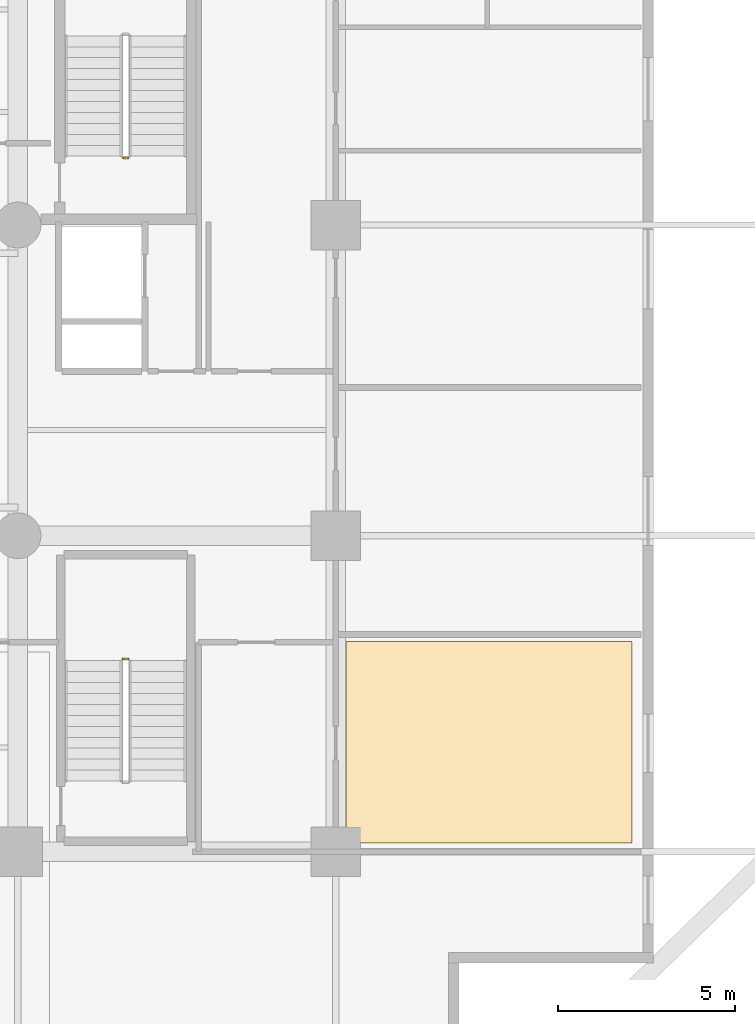
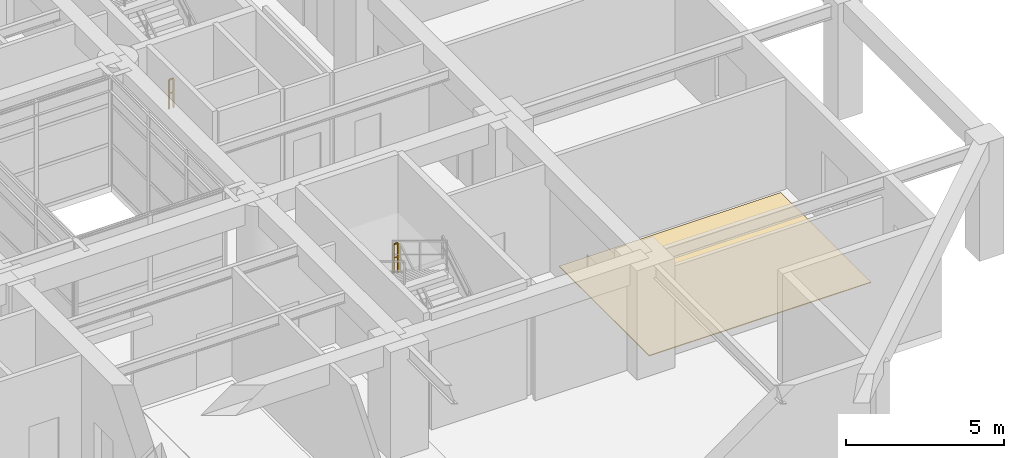
# One storey, part 12 of 13: 2 railings, 1 covering.
"""IFC4 building model written with IfcOpenShell, lengths in metres."""

from ifc_helpers import new_model, si_unit, direction, frame, origin, origin_2d, place, context, subcontext, project, spatial, polyline, rectangle, outline, extrude, material, layer, layer_set, type_object, element, save


model = new_model("IFC4")

# Units and contexts
model_context = context("Model", 3, precision=1e-05, world=origin(), true_north=direction((0.0, 1.0)))
body_context = subcontext(model_context, "Body", "Model", "MODEL_VIEW")
ifc_project = project(units=[si_unit("LENGTHUNIT", "METRE"), si_unit("AREAUNIT", "SQUARE_METRE"), si_unit("VOLUMEUNIT", "CUBIC_METRE"), si_unit("PLANEANGLEUNIT", "RADIAN"), si_unit("MASSUNIT", "GRAM", prefix="KILO")], contexts=[model_context])

# Site, building, storey
site_placement = place(None, origin())
site = spatial("IfcSite", under=ifc_project, at=site_placement, CompositionType="ELEMENT")
building_placement = place(site_placement, origin())
building = spatial("IfcBuilding", under=site, at=building_placement, Name="Kundavana Baori Tower", CompositionType="ELEMENT")
storey_placement = place(building_placement, frame((0.0, 0.0, 17.0)))
storey = spatial("IfcBuildingStorey", under=building, at=storey_placement, Name="L03", CompositionType="ELEMENT", Elevation=17.0)

# Covering
ifc_material_1 = material(Name="Honed Kota Stone and Terrazzo Flooring", Category="masonry")
ifc_layer = layer(ifc_material_1, 0.030029296875, Name="COV-INT-FLR")
ifc_layer_set = layer_set([ifc_layer], Name="Honed Kota Stone and Terrazzo Flooring")
covering_type = type_object("IfcCoveringType", Name="COV-INT-FLR", PredefinedType="FLOORING", material=ifc_layer_set)
covering_placement = place(storey_placement, origin())
element("IfcCovering", 1, at=covering_placement, inside=storey, type_object=covering_type, Name="L03 Room Finished Stone Flooring 4", PredefinedType="FLOORING", context=body_context, shape_type="SweptSolid", body=[
    extrude(outline(polyline([(43.10009765625, 15.5), (51.199951171875, 15.5), (51.199951171875, 21.199951171875), (43.10009765625, 21.199951171875), (43.10009765625, 15.5)])), origin(), (0.0, 0.0, 1.0), 0.030029296875),
])

# Railings
ifc_material_2 = material(Name="Architectural Patinated Bronze Metalwork")
railing_type = type_object("IfcRailingType", Name="RL-GRD-1150", PredefinedType="GUARDRAIL", material=ifc_material_2)
for number, where, name in (
    (2, (36.929931640625, 34.89990234375, 0.0), "L03 ST3 stair guard 4"),
    (3, (36.929931640625, 20.7099609375, 2.25), "L03 ST4 stair guard 2"),
):
    element("IfcRailing", number, at=place(storey_placement, frame(where)), inside=storey, type_object=railing_type, Name=name, PredefinedType="GUARDRAIL", context=body_context, shape_type="SweptSolid", body=[
        extrude(rectangle(XDim=0.048095703125, YDim=0.048095703125, at=origin_2d()), frame((0.0, 0.0, 1.1259765625), z_axis=(-1.0, 0.0, 0.0), x_axis=(0.0, -1.0, 0.0)), (0.0, 0.0, 1.0), 0.159912109375),
        extrude(rectangle(XDim=0.03125, YDim=0.03125, at=origin_2d()), frame((0.0, 0.0, 0.597900390625), z_axis=(-1.0, 0.0, 0.0), x_axis=(0.0, -1.0, 0.0)), (0.0, 0.0, 1.0), 0.159912109375),
        extrude(rectangle(XDim=0.0419921875, YDim=0.0419921875, at=origin_2d()), origin(), (0.0, 0.0, 1.0), 1.101806640625),
        extrude(rectangle(XDim=0.0419921875, YDim=0.0419921875, at=origin_2d()), frame((-0.159912109375, 0.0, 0.0)), (0.0, 0.0, 1.0), 1.101806640625),
    ])

save(model, "model.ifc")
